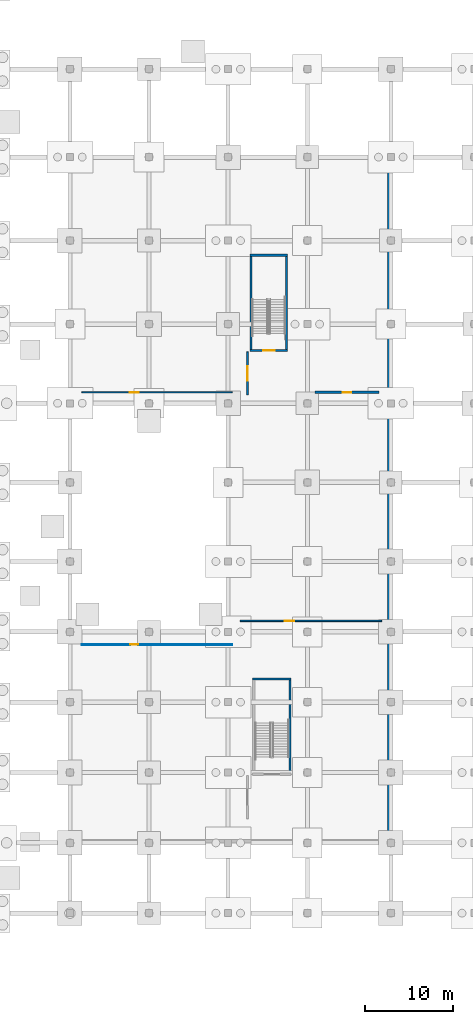
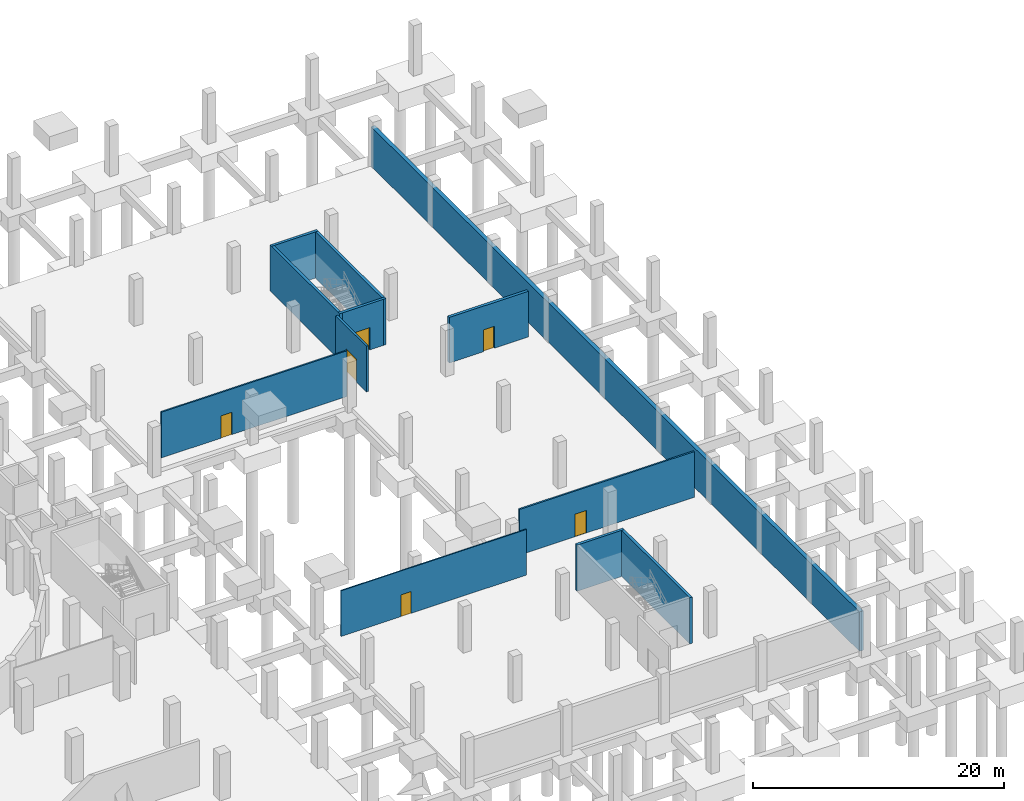
# One storey, part 32 of 40: 12 walls, 6 doors, 6 openings.
"""IFC4 building model written with IfcOpenShell, lengths in metres."""

from ifc_helpers import new_model, si_unit, direction, frame, frame_2d, origin, place, context, subcontext, project, spatial, rectangle, extrude, material, layer, layer_set, type_object, element, fill, save


model = new_model("IFC4")

# Units and contexts
model_context = context("Model", 3, precision=1e-05, world=origin(), true_north=direction((0.0, 1.0)))
body_context = subcontext(model_context, "Body", "Model", "MODEL_VIEW")
ifc_project = project(units=[si_unit("LENGTHUNIT", "METRE"), si_unit("AREAUNIT", "SQUARE_METRE"), si_unit("VOLUMEUNIT", "CUBIC_METRE"), si_unit("PLANEANGLEUNIT", "RADIAN"), si_unit("MASSUNIT", "GRAM", prefix="KILO")], contexts=[model_context])

# Site, building, storey
site_placement = place(None, origin())
site = spatial("IfcSite", under=ifc_project, at=site_placement, CompositionType="ELEMENT")
building_placement = place(site_placement, origin())
building = spatial("IfcBuilding", under=site, at=building_placement, Name="Marnock Terrace Opera House", CompositionType="ELEMENT")
storey_placement = place(building_placement, frame((0.0, 0.0, -4.800048828125)))
storey = spatial("IfcBuildingStorey", under=building, at=storey_placement, Name="B1", CompositionType="ELEMENT", Elevation=-4.800048828125)

# Wall, opening, door
ifc_material_1 = material(Name="Rendered acoustic concrete blockwork", Category="masonry")
ifc_layer_1 = layer(ifc_material_1, 0.18505859375)
ifc_layer_set_1 = layer_set([ifc_layer_1], Name="Rendered acoustic concrete blockwork")
wall_type_1 = type_object("IfcWallType", Name="IW-FIRE-185", PredefinedType="PARTITIONING", material=ifc_layer_set_1)
wall_1_placement = place(storey_placement, frame((138.199951171875, 66.949951171875, 0.0), z_axis=(0.0, 0.0, 1.0), x_axis=(0.0, 1.0, 0.0)))
wall_1 = element("IfcWall", 1, at=wall_1_placement, inside=storey, type_object=wall_type_1, Name="B1 C8 fire-rated lift and stair lobby wall", PredefinedType="PARTITIONING", context=body_context, shape_type="SweptSolid", body=[
    extrude(rectangle(XDim=4.900146484375, YDim=0.18505859375, at=frame_2d((2.4501953125, 0.0))), origin(), (0.0, 0.0, 1.0), 4.449951171875),
])
opening_1_placement = place(wall_1_placement, frame((1.610107421875, 0.0, 0.0)))
opening_1 = element("IfcOpeningElement", 2, at=opening_1_placement, cuts=wall_1, Name="Opening FD-C8-B1", PredefinedType="OPENING", context=body_context, shape_type="SweptSolid", body=[
    extrude(rectangle(XDim=1.679931640625, YDim=2.25, at=frame_2d((0.83984375, 1.125))), frame((0.0, 0.1025390625, 0.0), z_axis=(0.0, -1.0, 0.0), x_axis=(1.0, 0.0, 0.0)), (0.0, 0.0, 1.0), 0.205078125),
])
ifc_material_2 = material(Name="Fire-rated acoustic timber-core door assembly", Category="wood")
door_type_1 = type_object("IfcDoorType", Name="DT-LOBBY-1680", OperationType="NOTDEFINED", PredefinedType="DOOR", material=ifc_material_2)
door_1_placement = place(opening_1_placement, origin())
door_1 = element("IfcDoor", 3, at=door_1_placement, inside=storey, type_object=door_type_1, Name="B1 C8 lobby self-closing smoke door", OperationType="SINGLE_SWING_RIGHT", OverallHeight=2.25, OverallWidth=1.679931640625, PredefinedType="DOOR", context=body_context, shape_type="SweptSolid", body=[
    extrude(rectangle(XDim=1.679931640625, YDim=2.25, at=frame_2d((0.83984375, 1.125))), frame((0.0, 0.02490234375, 0.0), z_axis=(0.0, -1.0, 0.0), x_axis=(1.0, 0.0, 0.0)), (0.0, 0.0, 1.0), 0.050048828125),
])
fill(opening_1, door_1)

ifc_material_3 = material(Name="Double-stud acoustic plasterboard with mineral-wool infill")
ifc_layer_2 = layer(ifc_material_3, 0.10791015625)
ifc_layer_set_2 = layer_set([ifc_layer_2], Name="Double-stud acoustic plasterboard with mineral-wool infill")
wall_type_2 = type_object("IfcWallType", Name="IW-PART-108", PredefinedType="PARTITIONING", material=ifc_layer_set_2)
wall_2_placement = place(storey_placement, frame((119.35009765625, 38.550048828125, 0.0), z_axis=(0.0, 0.0, 1.0), x_axis=(1.0, 0.0, 0.0)))
wall_2 = element("IfcWall", 4, at=wall_2_placement, inside=storey, type_object=wall_type_2, Name="B1 Costume Archive Vault acoustic partition wall", PredefinedType="PARTITIONING", context=body_context, shape_type="SweptSolid", body=[
    extrude(rectangle(XDim=17.099853515625, YDim=0.10791015625, at=frame_2d((8.5498046875, 0.0))), origin(), (0.0, 0.0, 1.0), 4.449951171875),
])
opening_2_placement = place(wall_2_placement, frame((5.52490234375, 0.0, 0.0)))
opening_2 = element("IfcOpeningElement", 5, at=opening_2_placement, cuts=wall_2, Name="Opening D-B1-15", PredefinedType="OPENING", context=body_context, shape_type="SweptSolid", body=[
    extrude(rectangle(XDim=0.919921875, YDim=2.1201171875, at=frame_2d((0.4599609375, 1.06005859375))), frame((0.0, 0.06396484375, 0.0), z_axis=(0.0, -1.0, 0.0), x_axis=(1.0, 0.0, 0.0)), (0.0, 0.0, 1.0), 0.1279296875),
])
ifc_material_4 = material(Name="Solid-core Tasmanian oak acoustic door leaf")
door_type_2 = type_object("IfcDoorType", Name="DT-ROOM-920", OperationType="NOTDEFINED", PredefinedType="DOOR", material=ifc_material_4)
door_2_placement = place(opening_2_placement, origin())
door_2 = element("IfcDoor", 6, at=door_2_placement, inside=storey, type_object=door_type_2, Name="B1 Costume Archive Vault entrance door", OperationType="SINGLE_SWING_LEFT", OverallHeight=2.1201171875, OverallWidth=0.919921875, PredefinedType="DOOR", context=body_context, shape_type="SweptSolid", body=[
    extrude(rectangle(XDim=0.919921875, YDim=2.1201171875, at=frame_2d((0.4599609375, 1.06005859375))), frame((0.0, 0.02490234375, 0.0), z_axis=(0.0, -1.0, 0.0), x_axis=(1.0, 0.0, 0.0)), (0.0, 0.0, 1.0), 0.050048828125),
])
fill(opening_2, door_2)

ifc_layer_3 = layer(ifc_material_3, 0.137939453125)
ifc_layer_set_3 = layer_set([ifc_layer_3], Name="Double-stud acoustic plasterboard with mineral-wool infill")
wall_type_3 = type_object("IfcWallType", Name="IW-PART-138", PredefinedType="PARTITIONING", material=ifc_layer_set_3)
wall_3_placement = place(storey_placement, frame((119.35009765625, 67.25, 0.0), z_axis=(0.0, 0.0, 1.0), x_axis=(1.0, 0.0, 0.0)))
wall_3 = element("IfcWall", 7, at=wall_3_placement, inside=storey, type_object=wall_type_3, Name="B1 Cycle Store and End-of-Trip Lockers acoustic partition wall", PredefinedType="PARTITIONING", context=body_context, shape_type="SweptSolid", body=[
    extrude(rectangle(XDim=17.099853515625, YDim=0.137939453125, at=frame_2d((8.5498046875, 0.0))), origin(), (0.0, 0.0, 1.0), 4.449951171875),
])
opening_3_placement = place(wall_3_placement, frame((5.47509765625, 0.0, 0.0)))
opening_3 = element("IfcOpeningElement", 8, at=opening_3_placement, cuts=wall_3, Name="Opening D-B1-17", PredefinedType="OPENING", context=body_context, shape_type="SweptSolid", body=[
    extrude(rectangle(XDim=1.02001953125, YDim=2.179931640625, at=frame_2d((0.510009765625, 1.08984375))), frame((0.0, 0.078857421875, 0.0), z_axis=(0.0, -1.0, 0.0), x_axis=(1.0, 0.0, 0.0)), (0.0, 0.0, 1.0), 0.157958984375),
])
door_type_3 = type_object("IfcDoorType", Name="DT-SUITE-1020", OperationType="NOTDEFINED", PredefinedType="DOOR", material=ifc_material_4)
door_3_placement = place(opening_3_placement, origin())
door_3 = element("IfcDoor", 9, at=door_3_placement, inside=storey, type_object=door_type_3, Name="B1 Cycle Store and End-of-Trip Lockers entrance door", OperationType="SINGLE_SWING_LEFT", OverallHeight=2.179931640625, OverallWidth=1.02001953125, PredefinedType="DOOR", context=body_context, shape_type="SweptSolid", body=[
    extrude(rectangle(XDim=1.02001953125, YDim=2.179931640625, at=frame_2d((0.510009765625, 1.08984375))), frame((0.0, 0.02490234375, 0.0), z_axis=(0.0, -1.0, 0.0), x_axis=(1.0, 0.0, 0.0)), (0.0, 0.0, 1.0), 0.050048828125),
])
fill(opening_3, door_3)

ifc_layer_4 = layer(ifc_material_3, 0.14794921875)
ifc_layer_set_4 = layer_set([ifc_layer_4], Name="Double-stud acoustic plasterboard with mineral-wool infill")
wall_type_4 = type_object("IfcWallType", Name="IW-PART-148", PredefinedType="PARTITIONING", material=ifc_layer_set_4)
wall_4_placement = place(storey_placement, frame((137.35009765625, 41.25, 0.0), z_axis=(0.0, 0.0, 1.0), x_axis=(1.0, 0.0, 0.0)))
wall_4 = element("IfcWall", 10, at=wall_4_placement, inside=storey, type_object=wall_type_4, Name="B1 Opera Production Archive and Recording Vault acoustic partition wall", PredefinedType="PARTITIONING", context=body_context, shape_type="SweptSolid", body=[
    extrude(rectangle(XDim=16.099853515625, YDim=0.14794921875, at=frame_2d((8.0498046875, 0.0))), origin(), (0.0, 0.0, 1.0), 4.449951171875),
])
opening_4_placement = place(wall_4_placement, frame((5.10498046875, 0.0, 0.0)))
opening_4 = element("IfcOpeningElement", 11, at=opening_4_placement, cuts=wall_4, Name="Opening D-B1-16", PredefinedType="OPENING", context=body_context, shape_type="SweptSolid", body=[
    extrude(rectangle(XDim=1.06005859375, YDim=2.199951171875, at=frame_2d((0.530029296875, 1.10009765625))), frame((0.0, 0.083984375, 0.0), z_axis=(0.0, -1.0, 0.0), x_axis=(1.0, 0.0, 0.0)), (0.0, 0.0, 1.0), 0.16796875),
])
door_type_4 = type_object("IfcDoorType", Name="DT-SUITE-1060", OperationType="NOTDEFINED", PredefinedType="DOOR", material=ifc_material_4)
door_4_placement = place(opening_4_placement, origin())
door_4 = element("IfcDoor", 12, at=door_4_placement, inside=storey, type_object=door_type_4, Name="B1 Opera Production Archive and Recording Vault entrance door", OperationType="SINGLE_SWING_RIGHT", OverallHeight=2.199951171875, OverallWidth=1.06005859375, PredefinedType="DOOR", context=body_context, shape_type="SweptSolid", body=[
    extrude(rectangle(XDim=1.06005859375, YDim=2.199951171875, at=frame_2d((0.530029296875, 1.10009765625))), frame((0.0, 0.02490234375, 0.0), z_axis=(0.0, -1.0, 0.0), x_axis=(1.0, 0.0, 0.0)), (0.0, 0.0, 1.0), 0.050048828125),
])
fill(opening_4, door_4)

ifc_material_5 = material(Name="Moisture-resistant tiled service duct framing")
ifc_layer_5 = layer(ifc_material_5, 0.264892578125)
ifc_layer_set_5 = layer_set([ifc_layer_5], Name="Moisture-resistant tiled service duct framing")
wall_type_5 = type_object("IfcWallType", Name="IW-PLUMB-265", PredefinedType="PLUMBINGWALL", material=ifc_layer_set_5)
wall_5_placement = place(storey_placement, frame((145.85009765625, 67.25, 0.0), z_axis=(0.0, 0.0, 1.0), x_axis=(1.0, 0.0, 0.0)))
wall_5 = element("IfcWall", 13, at=wall_5_placement, inside=storey, type_object=wall_type_5, Name="B1 En-suite Shower and WC B1 End-of-Trip acoustic partition wall", PredefinedType="PLUMBINGWALL", context=body_context, shape_type="SweptSolid", body=[
    extrude(rectangle(XDim=7.2998046875, YDim=0.264892578125, at=frame_2d((3.64990234375, 0.0))), origin(), (0.0, 0.0, 1.0), 4.449951171875),
])
opening_5_placement = place(wall_5_placement, frame((3.159912109375, 0.0, 0.0)))
opening_5 = element("IfcOpeningElement", 14, at=opening_5_placement, cuts=wall_5, Name="Opening D-B1-21", PredefinedType="OPENING", context=body_context, shape_type="SweptSolid", body=[
    extrude(rectangle(XDim=0.97998046875, YDim=2.139892578125, at=frame_2d((0.489990234375, 1.06982421875))), frame((0.0, 0.142333984375, 0.0), z_axis=(0.0, -1.0, 0.0), x_axis=(1.0, 0.0, 0.0)), (0.0, 0.0, 1.0), 0.284912109375),
])
door_type_5 = type_object("IfcDoorType", Name="DT-WC-980", OperationType="NOTDEFINED", PredefinedType="DOOR", material=ifc_material_4)
door_5_placement = place(opening_5_placement, origin())
door_5 = element("IfcDoor", 15, at=door_5_placement, inside=storey, type_object=door_type_5, Name="B1 En-suite Shower and WC B1 End-of-Trip entrance door", OperationType="SINGLE_SWING_RIGHT", OverallHeight=2.139892578125, OverallWidth=0.97998046875, PredefinedType="DOOR", context=body_context, shape_type="SweptSolid", body=[
    extrude(rectangle(XDim=0.97998046875, YDim=2.139892578125, at=frame_2d((0.489990234375, 1.06982421875))), frame((0.0, 0.02490234375, 0.0), z_axis=(0.0, -1.0, 0.0), x_axis=(1.0, 0.0, 0.0)), (0.0, 0.0, 1.0), 0.050048828125),
])
fill(opening_5, door_5)

# Walls
ifc_material_6 = material(Name="Concrete N40 (f'c = 40 MPa)", Category="concrete")
ifc_layer_6 = layer(ifc_material_6, 0.25)
ifc_layer_set_6 = layer_set([ifc_layer_6], Name="Concrete N40 (f'c = 40 MPa)")
wall_type_6 = type_object("IfcWallType", Name="SW-CORE-250", PredefinedType="SHEAR", material=ifc_layer_set_6)
wall_6_placement = place(storey_placement, frame((138.794921875, 34.639892578125, 0.0), z_axis=(0.0, 0.0, 1.0), x_axis=(1.0, 0.0, 0.0)))
element("IfcWall", 16, at=wall_6_placement, inside=storey, type_object=wall_type_6, Name="B1 Core C6 FRL 120/120/120 shear wall N", PredefinedType="SHEAR", context=body_context, shape_type="SweptSolid", body=[
    extrude(rectangle(XDim=4.3701171875, YDim=0.25, at=frame_2d((2.18505859375, 0.0))), origin(), (0.0, 0.0, 1.0), 4.5),
])
wall_7_placement = place(storey_placement, frame((143.0400390625, 23.675048828125, 0.0), z_axis=(0.0, 0.0, 1.0), x_axis=(0.0, 1.0, 0.0)))
element("IfcWall", 17, at=wall_7_placement, inside=storey, type_object=wall_type_6, Name="B1 Core C6 FRL 120/120/120 shear wall E", PredefinedType="SHEAR", context=body_context, shape_type="SweptSolid", body=[
    extrude(rectangle(XDim=11.08984375, YDim=0.25, at=frame_2d((5.544921875, 0.0))), origin(), (0.0, 0.0, 1.0), 4.5),
])

# Wall, opening, door
wall_8_placement = place(storey_placement, frame((138.47509765625, 72.0, 0.0), z_axis=(0.0, 0.0, 1.0), x_axis=(1.0, 0.0, 0.0)))
wall_8 = element("IfcWall", 18, at=wall_8_placement, inside=storey, type_object=wall_type_6, Name="B1 Core C8 FRL 120/120/120 shear wall S", PredefinedType="SHEAR", context=body_context, shape_type="SweptSolid", body=[
    extrude(rectangle(XDim=4.289794921875, YDim=0.25, at=frame_2d((2.14501953125, 0.0))), origin(), (0.0, 0.0, 1.0), 4.5),
])
opening_6_placement = place(wall_8_placement, frame((1.4951171875, 0.0, 0.0)))
opening_6 = element("IfcOpeningElement", 19, at=opening_6_placement, cuts=wall_8, Name="Opening SD-C8-B1", PredefinedType="OPENING", context=body_context, shape_type="SweptSolid", body=[
    extrude(rectangle(XDim=1.300048828125, YDim=2.179931640625, at=frame_2d((0.64990234375, 1.08984375))), frame((0.0, 0.135009765625, 0.0), z_axis=(0.0, -1.0, 0.0), x_axis=(1.0, 0.0, 0.0)), (0.0, 0.0, 1.0), 0.27001953125),
])
door_type_6 = type_object("IfcDoorType", Name="DT-STAIR-1300", OperationType="NOTDEFINED", PredefinedType="DOOR", material=ifc_material_2)
door_6_placement = place(opening_6_placement, origin())
door_6 = element("IfcDoor", 20, at=door_6_placement, inside=storey, type_object=door_type_6, Name="B1 Stair ST-08 fire-isolated exit door", OperationType="SINGLE_SWING_LEFT", OverallHeight=2.179931640625, OverallWidth=1.300048828125, PredefinedType="DOOR", context=body_context, shape_type="SweptSolid", body=[
    extrude(rectangle(XDim=1.300048828125, YDim=2.179931640625, at=frame_2d((0.64990234375, 1.08984375))), frame((0.0, 0.02490234375, 0.0), z_axis=(0.0, -1.0, 0.0), x_axis=(1.0, 0.0, 0.0)), (0.0, 0.0, 1.0), 0.050048828125),
])
fill(opening_6, door_6)

# Walls
wall_9_placement = place(storey_placement, frame((138.47509765625, 82.840087890625, 0.0), z_axis=(0.0, 0.0, 1.0), x_axis=(1.0, 0.0, 0.0)))
element("IfcWall", 21, at=wall_9_placement, inside=storey, type_object=wall_type_6, Name="B1 Core C8 FRL 120/120/120 shear wall N", PredefinedType="SHEAR", context=body_context, shape_type="SweptSolid", body=[
    extrude(rectangle(XDim=4.289794921875, YDim=0.25, at=frame_2d((2.14501953125, 0.0))), origin(), (0.0, 0.0, 1.0), 4.5),
])
for number, where, z_axis, x_axis, name in (
    (22, (138.60009765625, 71.875, 0.0), (0.0, 0.0, 1.0), (0.0, 1.0, 0.0), "B1 Core C8 FRL 120/120/120 shear wall W"),
    (23, (142.639892578125, 71.875, 0.0), (0.0, 0.0, 1.0), (0.0, 1.0, 0.0), "B1 Core C8 FRL 120/120/120 shear wall E"),
):
    element("IfcWall", number, at=place(storey_placement, frame(where, z_axis=z_axis, x_axis=x_axis)), inside=storey, type_object=wall_type_6, Name=name, PredefinedType="SHEAR", context=body_context, shape_type="SweptSolid", body=[
        extrude(rectangle(XDim=11.090087890625, YDim=0.25, at=frame_2d((5.544921875, 0.0))), origin(), (0.0, 0.0, 1.0), 4.5),
    ])
ifc_layer_7 = layer(ifc_material_6, 0.360107421875)
ifc_layer_set_7 = layer_set([ifc_layer_7], Name="Concrete N40 (f'c = 40 MPa)")
wall_type_7 = type_object("IfcWallType", Name="SW-RET-360", PredefinedType="USERDEFINED", material=ifc_layer_set_7)
wall_10_placement = place(storey_placement, frame((154.320068359375, 16.0, 0.0), z_axis=(0.0, 0.0, 1.0), x_axis=(0.0, 1.0, 0.0)))
element("IfcWall", 24, at=wall_10_placement, inside=storey, type_object=wall_type_7, Name="Basement B1 perimeter retaining wall RW-B1-E1", ObjectType="RETAINING WALL", PredefinedType="USERDEFINED", context=body_context, shape_type="SweptSolid", body=[
    extrude(rectangle(XDim=78.0, YDim=0.360107421875, at=frame_2d((39.0, 0.0))), origin(), (0.0, 0.0, 1.0), 3.85009765625),
])

save(model, "model.ifc")
